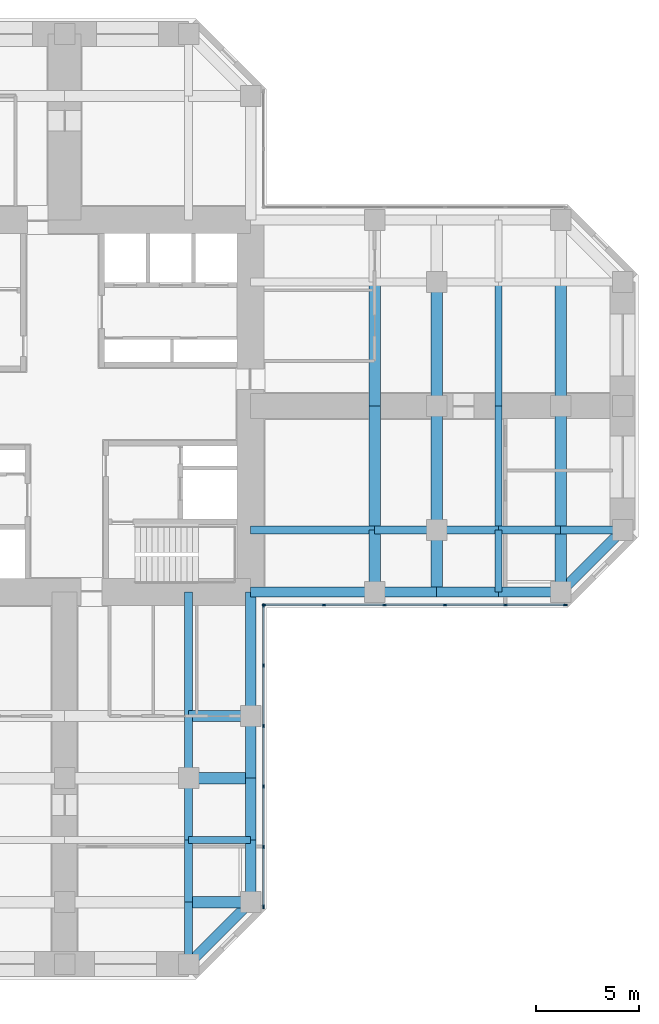
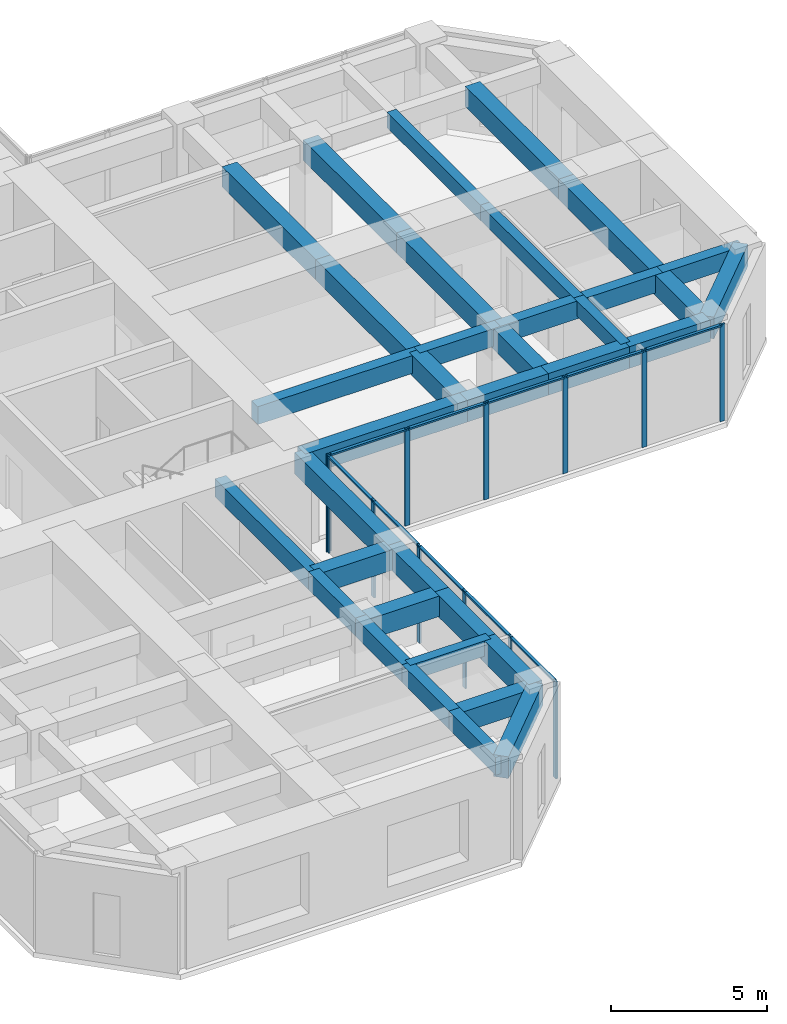
# One storey, part 4 of 12: 36 beams, 22 members, 2 elements without a shape of their own.
"""IFC4 building model written with IfcOpenShell, lengths in metres."""

from ifc_helpers import new_model, si_unit, direction, frame, origin, origin_2d, place, context, subcontext, project, spatial, rectangle, extrude, material, material_profile, profile_set, type_object, element, aggregate, save


model = new_model("IFC4")

# Units and contexts
model_context = context("Model", 3, precision=1e-05, world=origin(), true_north=direction((0.0, 1.0)))
body_context = subcontext(model_context, "Body", "Model", "MODEL_VIEW")
ifc_project = project(units=[si_unit("LENGTHUNIT", "METRE"), si_unit("AREAUNIT", "SQUARE_METRE"), si_unit("VOLUMEUNIT", "CUBIC_METRE"), si_unit("PLANEANGLEUNIT", "RADIAN"), si_unit("MASSUNIT", "GRAM", prefix="KILO")], contexts=[model_context])

# Site, building, storey
site_placement = place(None, origin())
site = spatial("IfcSite", under=ifc_project, at=site_placement, CompositionType="ELEMENT")
building_placement = place(site_placement, origin())
building = spatial("IfcBuilding", under=site, at=building_placement, Name="Torre Cruceta", CompositionType="ELEMENT")
storey_placement = place(building_placement, frame((0.0, 0.0, 120.5)))
storey = spatial("IfcBuildingStorey", under=building, at=storey_placement, Name="L29", CompositionType="ELEMENT", Elevation=120.5)

# Beams
ifc_material_1 = material(Name="Concrete G60 (fck 60 MPa)", Category="concrete")
ifc_material_profile_1 = material_profile(ifc_material_1, rectangle(XDim=0.39990234375, YDim=0.699951171875, at=origin_2d()), Name="RC 400X700")
ifc_profile_set_1 = profile_set([ifc_material_profile_1], Name="Concrete G60 (fck 60 MPa)")
beam_type_1 = type_object("IfcBeamType", Name="COLUMN LINE BEAM RC 400X700", PredefinedType="BEAM", material=ifc_profile_set_1)
beam_1_placement = place(storey_placement, frame((9.0, -6.0, 3.449951171875), z_axis=(1.0, 0.0, 0.0), x_axis=(0.0, 1.0, 0.0)))
element("IfcBeam", 1, at=beam_1_placement, inside=storey, type_object=beam_type_1, Name="LB5 L29 E col- 1", PredefinedType="BEAM", context=body_context, shape_type="SweptSolid", body=[
    extrude(rectangle(XDim=0.39990234375, YDim=0.699951171875, at=origin_2d()), origin(), (0.0, 0.0, 1.0), 6.0),
])
for number, where, z_axis, x_axis, name in (
    (2, (15.0, -6.0, 3.449951171875), (1.0, 0.0, 0.0), (0.0, 1.0, 0.0), "LB5 L29 E col- 2"),
    (3, (18.0, -6.0, 3.449951171875), (1.0, 0.0, 0.0), (0.0, 1.0, 0.0), "LB5 L29 E col- 3"),
    (4, (21.0, -6.0, 3.449951171875), (1.0, 0.0, 0.0), (0.0, 1.0, 0.0), "LB5 L29 E col- 4"),
    (5, (24.0, -6.0, 3.449951171875), (1.0, 0.0, 0.0), (0.0, 1.0, 0.0), "LB5 L29 E col- 5"),
):
    element("IfcBeam", number, at=place(storey_placement, frame(where, z_axis=z_axis, x_axis=x_axis)), inside=storey, type_object=beam_type_1, Name=name, PredefinedType="BEAM", context=body_context, shape_type="SweptSolid", body=[
        extrude(rectangle(XDim=0.39990234375, YDim=0.699951171875, at=origin_2d()), origin(), (0.0, 0.0, 1.0), 3.0),
    ])
beam_2_placement = place(storey_placement, frame((6.0, -9.0, 3.449951171875), z_axis=(0.0, -1.0, 0.0), x_axis=(1.0, 0.0, 0.0)))
element("IfcBeam", 6, at=beam_2_placement, inside=storey, type_object=beam_type_1, Name="LB5 L29 S col+ 1", PredefinedType="BEAM", context=body_context, shape_type="SweptSolid", body=[
    extrude(rectangle(XDim=0.39990234375, YDim=0.699951171875, at=origin_2d()), origin(), (0.0, 0.0, 1.0), 6.0),
])
for number, where, z_axis, x_axis, name in (
    (7, (6.0, -15.0, 3.449951171875), (0.0, -1.0, 0.0), (1.0, 0.0, 0.0), "LB5 L29 S col+ 2"),
    (8, (6.0, -18.0, 3.449951171875), (0.0, -1.0, 0.0), (1.0, 0.0, 0.0), "LB5 L29 S col+ 3"),
    (9, (6.0, -21.0, 3.449951171875), (0.0, -1.0, 0.0), (1.0, 0.0, 0.0), "LB5 L29 S col+ 4"),
    (10, (6.0, -24.0, 3.449951171875), (0.0, -1.0, 0.0), (1.0, 0.0, 0.0), "LB5 L29 S col+ 5"),
):
    element("IfcBeam", number, at=place(storey_placement, frame(where, z_axis=z_axis, x_axis=x_axis)), inside=storey, type_object=beam_type_1, Name=name, PredefinedType="BEAM", context=body_context, shape_type="SweptSolid", body=[
        extrude(rectangle(XDim=0.39990234375, YDim=0.699951171875, at=origin_2d()), origin(), (0.0, 0.0, 1.0), 3.0),
    ])
ifc_material_2 = material(Name="Concrete G60 (fck 60 MPa)", Category="concrete")
ifc_material_profile_2 = material_profile(ifc_material_2, rectangle(XDim=0.550048828125, YDim=0.800048828125, at=origin_2d()), Name="RC 550X800")
ifc_profile_set_2 = profile_set([ifc_material_profile_2], Name="Concrete G60 (fck 60 MPa)")
beam_type_2 = type_object("IfcBeamType", Name="CROSS BEAM RC 550X800", PredefinedType="BEAM", material=ifc_profile_set_2)
beam_3_placement = place(storey_placement, frame((15.0, -9.0, 3.39990234375), z_axis=(0.0, 1.0, 0.0), x_axis=(-1.0, 0.0, 0.0)))
element("IfcBeam", 11, at=beam_3_placement, inside=storey, type_object=beam_type_2, Name="GB5 L29 E cross15 1", PredefinedType="BEAM", context=body_context, shape_type="SweptSolid", body=[
    extrude(rectangle(XDim=0.550048828125, YDim=0.800048828125, at=origin_2d()), origin(), (0.0, 0.0, 1.0), 3.0),
])
for number, where, z_axis, x_axis, name in (
    (12, (15.0, -6.0, 3.39990234375), (0.0, 1.0, 0.0), (-1.0, 0.0, 0.0), "GB5 L29 E cross15 2"),
    (13, (15.0, 0.0, 3.39990234375), (0.0, 1.0, 0.0), (-1.0, 0.0, 0.0), "GB5 L29 E cross15 3"),
):
    element("IfcBeam", number, at=place(storey_placement, frame(where, z_axis=z_axis, x_axis=x_axis)), inside=storey, type_object=beam_type_2, Name=name, PredefinedType="BEAM", context=body_context, shape_type="SweptSolid", body=[
        extrude(rectangle(XDim=0.550048828125, YDim=0.800048828125, at=origin_2d()), origin(), (0.0, 0.0, 1.0), 6.0),
    ])
beam_4_placement = place(storey_placement, frame((18.0, -9.0, 3.39990234375), z_axis=(0.0, 1.0, 0.0), x_axis=(-1.0, 0.0, 0.0)))
element("IfcBeam", 14, at=beam_4_placement, inside=storey, type_object=beam_type_2, Name="GB5 L29 E cross18 1", PredefinedType="BEAM", context=body_context, shape_type="SweptSolid", body=[
    extrude(rectangle(XDim=0.550048828125, YDim=0.800048828125, at=origin_2d()), origin(), (0.0, 0.0, 1.0), 3.0),
])
for number, where, z_axis, x_axis, name in (
    (15, (18.0, -6.0, 3.39990234375), (0.0, 1.0, 0.0), (-1.0, 0.0, 0.0), "GB5 L29 E cross18 2"),
    (16, (18.0, 0.0, 3.39990234375), (0.0, 1.0, 0.0), (-1.0, 0.0, 0.0), "GB5 L29 E cross18 3"),
):
    element("IfcBeam", number, at=place(storey_placement, frame(where, z_axis=z_axis, x_axis=x_axis)), inside=storey, type_object=beam_type_2, Name=name, PredefinedType="BEAM", context=body_context, shape_type="SweptSolid", body=[
        extrude(rectangle(XDim=0.550048828125, YDim=0.800048828125, at=origin_2d()), origin(), (0.0, 0.0, 1.0), 6.0),
    ])
beam_5_placement = place(storey_placement, frame((24.0, -9.0, 3.39990234375), z_axis=(0.0, 1.0, 0.0), x_axis=(-1.0, 0.0, 0.0)))
element("IfcBeam", 17, at=beam_5_placement, inside=storey, type_object=beam_type_2, Name="GB5 L29 E cross24 1", PredefinedType="BEAM", context=body_context, shape_type="SweptSolid", body=[
    extrude(rectangle(XDim=0.550048828125, YDim=0.800048828125, at=origin_2d()), origin(), (0.0, 0.0, 1.0), 3.0),
])
for number, where, z_axis, x_axis, name in (
    (18, (24.0, -6.0, 3.39990234375), (0.0, 1.0, 0.0), (-1.0, 0.0, 0.0), "GB5 L29 E cross24 2"),
    (19, (24.0, 0.0, 3.39990234375), (0.0, 1.0, 0.0), (-1.0, 0.0, 0.0), "GB5 L29 E cross24 3"),
):
    element("IfcBeam", number, at=place(storey_placement, frame(where, z_axis=z_axis, x_axis=x_axis)), inside=storey, type_object=beam_type_2, Name=name, PredefinedType="BEAM", context=body_context, shape_type="SweptSolid", body=[
        extrude(rectangle(XDim=0.550048828125, YDim=0.800048828125, at=origin_2d()), origin(), (0.0, 0.0, 1.0), 6.0),
    ])
for number, where, z_axis, x_axis, name in (
    (20, (6.0, -15.0, 3.39990234375), (1.0, 0.0, 0.0), (0.0, 1.0, 0.0), "GB5 L29 S cross15 4"),
    (21, (6.0, -18.0, 3.39990234375), (1.0, 0.0, 0.0), (0.0, 1.0, 0.0), "GB5 L29 S cross18 4"),
    (22, (6.0, -24.0, 3.39990234375), (1.0, 0.0, 0.0), (0.0, 1.0, 0.0), "GB5 L29 S cross24 4"),
):
    element("IfcBeam", number, at=place(storey_placement, frame(where, z_axis=z_axis, x_axis=x_axis)), inside=storey, type_object=beam_type_2, Name=name, PredefinedType="BEAM", context=body_context, shape_type="SweptSolid", body=[
        extrude(rectangle(XDim=0.550048828125, YDim=0.800048828125, at=origin_2d()), origin(), (0.0, 0.0, 1.0), 3.0),
    ])

# Curtain wall, members
ifc_material_3 = material(Name="Aluminium unitised curtain wall", Category="aluminium")
curtain_wall_type = type_object("IfcCurtainWallType", Name="CURTAIN WALL CW-B OFFICE MID RISE", PredefinedType="USERDEFINED", material=ifc_material_3)
curtain_wall_1_placement = place(storey_placement, origin())
curtain_wall_1 = element("IfcCurtainWall", 23, at=curtain_wall_1_placement, inside=storey, type_object=curtain_wall_type, Name="CW-B L29 E side 00", ObjectType="UNITISED", PredefinedType="USERDEFINED")
ifc_material_4 = material(Name="Aluminium mullion", Category="aluminium")
ifc_material_profile_3 = material_profile(ifc_material_4, rectangle(XDim=0.06494140625, YDim=0.179931640625, at=origin_2d()), Name="AL 65X180")
ifc_profile_set_3 = profile_set([ifc_material_profile_3], Name="Aluminium mullion")
member_type_1 = type_object("IfcMemberType", Name="CW-B MULLION 65X180", PredefinedType="MULLION", material=ifc_profile_set_3)
member_1_placement = place(storey_placement, frame((9.652587890625, -9.6201171875, 0.0), z_axis=(0.0, 0.0, 1.0), x_axis=(0.0, 1.0, 0.0)))
member_1 = element("IfcMember", 24, at=member_1_placement, type_object=member_type_1, Name="CW-B mullion 1", PredefinedType="MULLION", context=body_context, shape_type="SweptSolid", body=[
    extrude(rectangle(XDim=0.06494140625, YDim=0.179931640625, at=origin_2d()), origin(), (0.0, 0.0, 1.0), 3.800048828125),
])
member_2_placement = place(storey_placement, frame((12.54736328125, -9.6201171875, 0.0), z_axis=(0.0, 0.0, 1.0), x_axis=(0.0, 1.0, 0.0)))
member_2 = element("IfcMember", 25, at=member_2_placement, type_object=member_type_1, Name="CW-B mullion 2", PredefinedType="MULLION", context=body_context, shape_type="SweptSolid", body=[
    extrude(rectangle(XDim=0.06494140625, YDim=0.179931640625, at=origin_2d()), origin(), (0.0, 0.0, 1.0), 3.800048828125),
])
member_3_placement = place(storey_placement, frame((15.474609375, -9.6201171875, 0.0), z_axis=(0.0, 0.0, 1.0), x_axis=(0.0, 1.0, 0.0)))
member_3 = element("IfcMember", 26, at=member_3_placement, type_object=member_type_1, Name="CW-B mullion 3", PredefinedType="MULLION", context=body_context, shape_type="SweptSolid", body=[
    extrude(rectangle(XDim=0.06494140625, YDim=0.179931640625, at=origin_2d()), origin(), (0.0, 0.0, 1.0), 3.800048828125),
])
member_4_placement = place(storey_placement, frame((18.402099609375, -9.6201171875, 0.0), z_axis=(0.0, 0.0, 1.0), x_axis=(0.0, 1.0, 0.0)))
member_4 = element("IfcMember", 27, at=member_4_placement, type_object=member_type_1, Name="CW-B mullion 4", PredefinedType="MULLION", context=body_context, shape_type="SweptSolid", body=[
    extrude(rectangle(XDim=0.06494140625, YDim=0.179931640625, at=origin_2d()), origin(), (0.0, 0.0, 1.0), 3.800048828125),
])
member_5_placement = place(storey_placement, frame((21.329345703125, -9.6201171875, 0.0), z_axis=(0.0, 0.0, 1.0), x_axis=(0.0, 1.0, 0.0)))
member_5 = element("IfcMember", 28, at=member_5_placement, type_object=member_type_1, Name="CW-B mullion 5", PredefinedType="MULLION", context=body_context, shape_type="SweptSolid", body=[
    extrude(rectangle(XDim=0.06494140625, YDim=0.179931640625, at=origin_2d()), origin(), (0.0, 0.0, 1.0), 3.800048828125),
])
member_6_placement = place(storey_placement, frame((24.224365234375, -9.6201171875, 0.0), z_axis=(0.0, 0.0, 1.0), x_axis=(0.0, 1.0, 0.0)))
member_6 = element("IfcMember", 29, at=member_6_placement, type_object=member_type_1, Name="CW-B mullion 6", PredefinedType="MULLION", context=body_context, shape_type="SweptSolid", body=[
    extrude(rectangle(XDim=0.06494140625, YDim=0.179931640625, at=origin_2d()), origin(), (0.0, 0.0, 1.0), 3.800048828125),
])

curtain_wall_2_placement = place(storey_placement, origin())
curtain_wall_2 = element("IfcCurtainWall", 30, at=curtain_wall_2_placement, inside=storey, type_object=curtain_wall_type, Name="CW-B L29 S side 19", ObjectType="UNITISED", PredefinedType="USERDEFINED")
member_7_placement = place(storey_placement, frame((9.6201171875, -24.224365234375, 0.0), z_axis=(0.0, 0.0, 1.0), x_axis=(-1.0, 0.0, 0.0)))
member_7 = element("IfcMember", 31, at=member_7_placement, type_object=member_type_1, Name="CW-B mullion 1", PredefinedType="MULLION", context=body_context, shape_type="SweptSolid", body=[
    extrude(rectangle(XDim=0.06494140625, YDim=0.179931640625, at=origin_2d()), origin(), (0.0, 0.0, 1.0), 3.800048828125),
])
member_8_placement = place(storey_placement, frame((9.6201171875, -21.329345703125, 0.0), z_axis=(0.0, 0.0, 1.0), x_axis=(-1.0, 0.0, 0.0)))
member_8 = element("IfcMember", 32, at=member_8_placement, type_object=member_type_1, Name="CW-B mullion 2", PredefinedType="MULLION", context=body_context, shape_type="SweptSolid", body=[
    extrude(rectangle(XDim=0.06494140625, YDim=0.179931640625, at=origin_2d()), origin(), (0.0, 0.0, 1.0), 3.800048828125),
])
member_9_placement = place(storey_placement, frame((9.6201171875, -18.402099609375, 0.0), z_axis=(0.0, 0.0, 1.0), x_axis=(-1.0, 0.0, 0.0)))
member_9 = element("IfcMember", 33, at=member_9_placement, type_object=member_type_1, Name="CW-B mullion 3", PredefinedType="MULLION", context=body_context, shape_type="SweptSolid", body=[
    extrude(rectangle(XDim=0.06494140625, YDim=0.179931640625, at=origin_2d()), origin(), (0.0, 0.0, 1.0), 3.800048828125),
])
member_10_placement = place(storey_placement, frame((9.6201171875, -15.474609375, 0.0), z_axis=(0.0, 0.0, 1.0), x_axis=(-1.0, 0.0, 0.0)))
member_10 = element("IfcMember", 34, at=member_10_placement, type_object=member_type_1, Name="CW-B mullion 4", PredefinedType="MULLION", context=body_context, shape_type="SweptSolid", body=[
    extrude(rectangle(XDim=0.06494140625, YDim=0.179931640625, at=origin_2d()), origin(), (0.0, 0.0, 1.0), 3.800048828125),
])
member_11_placement = place(storey_placement, frame((9.6201171875, -12.54736328125, 0.0), z_axis=(0.0, 0.0, 1.0), x_axis=(-1.0, 0.0, 0.0)))
member_11 = element("IfcMember", 35, at=member_11_placement, type_object=member_type_1, Name="CW-B mullion 5", PredefinedType="MULLION", context=body_context, shape_type="SweptSolid", body=[
    extrude(rectangle(XDim=0.06494140625, YDim=0.179931640625, at=origin_2d()), origin(), (0.0, 0.0, 1.0), 3.800048828125),
])
member_12_placement = place(storey_placement, frame((9.6201171875, -9.652587890625, 0.0), z_axis=(0.0, 0.0, 1.0), x_axis=(-1.0, 0.0, 0.0)))
member_12 = element("IfcMember", 36, at=member_12_placement, type_object=member_type_1, Name="CW-B mullion 6", PredefinedType="MULLION", context=body_context, shape_type="SweptSolid", body=[
    extrude(rectangle(XDim=0.06494140625, YDim=0.179931640625, at=origin_2d()), origin(), (0.0, 0.0, 1.0), 3.800048828125),
])

# Member
ifc_material_5 = material(Name="Aluminium transom", Category="aluminium")
ifc_material_profile_4 = material_profile(ifc_material_5, rectangle(XDim=0.110107421875, YDim=0.06494140625, at=origin_2d()), Name="AL 110X65")
ifc_profile_set_4 = profile_set([ifc_material_profile_4], Name="Aluminium transom")
member_type_2 = type_object("IfcMemberType", Name="CW-B TRANSOM 65X110", PredefinedType="USERDEFINED", material=ifc_profile_set_4)
member_13_placement = place(storey_placement, frame((9.68505859375, -9.6201171875, 3.767578125), z_axis=(1.0, 0.0, 0.0), x_axis=(0.0, 1.0, 0.0)))
member_13 = element("IfcMember", 37, at=member_13_placement, type_object=member_type_2, Name="CW-B transom 1", ObjectType="TRANSOM", PredefinedType="USERDEFINED", context=body_context, shape_type="SweptSolid", body=[
    extrude(rectangle(XDim=0.110107421875, YDim=0.06494140625, at=origin_2d()), origin(), (0.0, 0.0, 1.0), 2.829833984375),
])

member_14_placement = place(storey_placement, frame((12.579833984375, -9.6201171875, 3.767578125), z_axis=(1.0, 0.0, 0.0), x_axis=(0.0, 1.0, 0.0)))
member_14 = element("IfcMember", 38, at=member_14_placement, type_object=member_type_2, Name="CW-B transom 2", ObjectType="TRANSOM", PredefinedType="USERDEFINED", context=body_context, shape_type="SweptSolid", body=[
    extrude(rectangle(XDim=0.110107421875, YDim=0.06494140625, at=origin_2d()), origin(), (0.0, 0.0, 1.0), 2.8623046875),
])

member_15_placement = place(storey_placement, frame((15.50732421875, -9.6201171875, 3.767578125), z_axis=(1.0, 0.0, 0.0), x_axis=(0.0, 1.0, 0.0)))
member_15 = element("IfcMember", 39, at=member_15_placement, type_object=member_type_2, Name="CW-B transom 3", ObjectType="TRANSOM", PredefinedType="USERDEFINED", context=body_context, shape_type="SweptSolid", body=[
    extrude(rectangle(XDim=0.110107421875, YDim=0.06494140625, at=origin_2d()), origin(), (0.0, 0.0, 1.0), 2.8623046875),
])

member_16_placement = place(storey_placement, frame((18.4345703125, -9.6201171875, 3.767578125), z_axis=(1.0, 0.0, 0.0), x_axis=(0.0, 1.0, 0.0)))
member_16 = element("IfcMember", 40, at=member_16_placement, type_object=member_type_2, Name="CW-B transom 4", ObjectType="TRANSOM", PredefinedType="USERDEFINED", context=body_context, shape_type="SweptSolid", body=[
    extrude(rectangle(XDim=0.110107421875, YDim=0.06494140625, at=origin_2d()), origin(), (0.0, 0.0, 1.0), 2.8623046875),
])

member_17_placement = place(storey_placement, frame((21.362060546875, -9.6201171875, 3.767578125), z_axis=(1.0, 0.0, 0.0), x_axis=(0.0, 1.0, 0.0)))
member_17 = element("IfcMember", 41, at=member_17_placement, type_object=member_type_2, Name="CW-B transom 5", ObjectType="TRANSOM", PredefinedType="USERDEFINED", context=body_context, shape_type="SweptSolid", body=[
    extrude(rectangle(XDim=0.110107421875, YDim=0.06494140625, at=origin_2d()), origin(), (0.0, 0.0, 1.0), 2.829833984375),
])

aggregate(curtain_wall_1, [member_1, member_2, member_3, member_4, member_5, member_6, member_13, member_14, member_15, member_16, member_17])

member_18_placement = place(storey_placement, frame((9.6201171875, -24.19189453125, 3.767578125), z_axis=(0.0, 1.0, 0.0), x_axis=(-1.0, 0.0, 0.0)))
member_18 = element("IfcMember", 42, at=member_18_placement, type_object=member_type_2, Name="CW-B transom 1", ObjectType="TRANSOM", PredefinedType="USERDEFINED", context=body_context, shape_type="SweptSolid", body=[
    extrude(rectangle(XDim=0.110107421875, YDim=0.06494140625, at=origin_2d()), origin(), (0.0, 0.0, 1.0), 2.829833984375),
])

member_19_placement = place(storey_placement, frame((9.6201171875, -21.296875, 3.767578125), z_axis=(0.0, 1.0, 0.0), x_axis=(-1.0, 0.0, 0.0)))
member_19 = element("IfcMember", 43, at=member_19_placement, type_object=member_type_2, Name="CW-B transom 2", ObjectType="TRANSOM", PredefinedType="USERDEFINED", context=body_context, shape_type="SweptSolid", body=[
    extrude(rectangle(XDim=0.110107421875, YDim=0.06494140625, at=origin_2d()), origin(), (0.0, 0.0, 1.0), 2.8623046875),
])

member_20_placement = place(storey_placement, frame((9.6201171875, -18.36962890625, 3.767578125), z_axis=(0.0, 1.0, 0.0), x_axis=(-1.0, 0.0, 0.0)))
member_20 = element("IfcMember", 44, at=member_20_placement, type_object=member_type_2, Name="CW-B transom 3", ObjectType="TRANSOM", PredefinedType="USERDEFINED", context=body_context, shape_type="SweptSolid", body=[
    extrude(rectangle(XDim=0.110107421875, YDim=0.06494140625, at=origin_2d()), origin(), (0.0, 0.0, 1.0), 2.8623046875),
])

member_21_placement = place(storey_placement, frame((9.6201171875, -15.442138671875, 3.767578125), z_axis=(0.0, 1.0, 0.0), x_axis=(-1.0, 0.0, 0.0)))
member_21 = element("IfcMember", 45, at=member_21_placement, type_object=member_type_2, Name="CW-B transom 4", ObjectType="TRANSOM", PredefinedType="USERDEFINED", context=body_context, shape_type="SweptSolid", body=[
    extrude(rectangle(XDim=0.110107421875, YDim=0.06494140625, at=origin_2d()), origin(), (0.0, 0.0, 1.0), 2.8623046875),
])

member_22_placement = place(storey_placement, frame((9.6201171875, -12.514892578125, 3.767578125), z_axis=(0.0, 1.0, 0.0), x_axis=(-1.0, 0.0, 0.0)))
member_22 = element("IfcMember", 46, at=member_22_placement, type_object=member_type_2, Name="CW-B transom 5", ObjectType="TRANSOM", PredefinedType="USERDEFINED", context=body_context, shape_type="SweptSolid", body=[
    extrude(rectangle(XDim=0.110107421875, YDim=0.06494140625, at=origin_2d()), origin(), (0.0, 0.0, 1.0), 2.829833984375),
])

aggregate(curtain_wall_2, [member_7, member_8, member_9, member_10, member_11, member_12, member_18, member_19, member_20, member_21, member_22])

# Beams
ifc_material_6 = material(Name="Concrete G60 (fck 60 MPa)", Category="concrete")
ifc_material_profile_5 = material_profile(ifc_material_6, rectangle(XDim=0.35009765625, YDim=0.60009765625, at=origin_2d()), Name="RC 350X600")
ifc_profile_set_5 = profile_set([ifc_material_profile_5], Name="Concrete G60 (fck 60 MPa)")
beam_type_3 = type_object("IfcBeamType", Name="SECONDARY BEAM RC 350X600", PredefinedType="JOIST", material=ifc_profile_set_5)
beam_6_placement = place(storey_placement, frame((21.0, -9.0, 3.5), z_axis=(0.0, 1.0, 0.0), x_axis=(-1.0, 0.0, 0.0)))
element("IfcBeam", 47, at=beam_6_placement, inside=storey, type_object=beam_type_3, Name="JB5 L29 E sec21 1", PredefinedType="JOIST", context=body_context, shape_type="SweptSolid", body=[
    extrude(rectangle(XDim=0.35009765625, YDim=0.60009765625, at=origin_2d()), origin(), (0.0, 0.0, 1.0), 3.0),
])
for number, where, z_axis, x_axis, name in (
    (48, (21.0, -6.0, 3.5), (0.0, 1.0, 0.0), (-1.0, 0.0, 0.0), "JB5 L29 E sec21 2"),
    (49, (21.0, 0.0, 3.5), (0.0, 1.0, 0.0), (-1.0, 0.0, 0.0), "JB5 L29 E sec21 3"),
):
    element("IfcBeam", number, at=place(storey_placement, frame(where, z_axis=z_axis, x_axis=x_axis)), inside=storey, type_object=beam_type_3, Name=name, PredefinedType="JOIST", context=body_context, shape_type="SweptSolid", body=[
        extrude(rectangle(XDim=0.35009765625, YDim=0.60009765625, at=origin_2d()), origin(), (0.0, 0.0, 1.0), 6.0),
    ])
beam_7_placement = place(storey_placement, frame((6.0, -21.0, 3.5), z_axis=(1.0, 0.0, 0.0), x_axis=(0.0, 1.0, 0.0)))
element("IfcBeam", 50, at=beam_7_placement, inside=storey, type_object=beam_type_3, Name="JB5 L29 S sec21 4", PredefinedType="JOIST", context=body_context, shape_type="SweptSolid", body=[
    extrude(rectangle(XDim=0.35009765625, YDim=0.60009765625, at=origin_2d()), origin(), (0.0, 0.0, 1.0), 3.0),
])
ifc_material_7 = material(Name="Concrete G60 (fck 60 MPa)", Category="concrete")
ifc_material_profile_6 = material_profile(ifc_material_7, rectangle(XDim=0.5, YDim=0.85009765625, at=origin_2d()), Name="RC 500X850")
ifc_profile_set_6 = profile_set([ifc_material_profile_6], Name="Concrete G60 (fck 60 MPa)")
beam_type_4 = type_object("IfcBeamType", Name="SPANDREL BEAM RC 500X850", PredefinedType="SPANDREL", material=ifc_profile_set_6)
beam_8_placement = place(storey_placement, frame((9.0, -9.0, 3.375), z_axis=(1.0, 0.0, 0.0), x_axis=(0.0, 1.0, 0.0)))
element("IfcBeam", 51, at=beam_8_placement, inside=storey, type_object=beam_type_4, Name="SB5 L29 E side- 1", PredefinedType="SPANDREL", context=body_context, shape_type="SweptSolid", body=[
    extrude(rectangle(XDim=0.5, YDim=0.85009765625, at=origin_2d()), origin(), (0.0, 0.0, 1.0), 6.0),
])
for number, where, z_axis, x_axis, name in (
    (52, (15.0, -9.0, 3.375), (1.0, 0.0, 0.0), (0.0, 1.0, 0.0), "SB5 L29 E side- 2"),
    (53, (18.0, -9.0, 3.375), (1.0, 0.0, 0.0), (0.0, 1.0, 0.0), "SB5 L29 E side- 3"),
    (54, (21.0, -9.0, 3.375), (1.0, 0.0, 0.0), (0.0, 1.0, 0.0), "SB5 L29 E side- 4"),
):
    element("IfcBeam", number, at=place(storey_placement, frame(where, z_axis=z_axis, x_axis=x_axis)), inside=storey, type_object=beam_type_4, Name=name, PredefinedType="SPANDREL", context=body_context, shape_type="SweptSolid", body=[
        extrude(rectangle(XDim=0.5, YDim=0.85009765625, at=origin_2d()), origin(), (0.0, 0.0, 1.0), 3.0),
    ])
beam_9_placement = place(storey_placement, frame((24.0, -9.0, 3.375), z_axis=(0.707106781187, 0.707106781187, 0.0), x_axis=(-0.707106781187, 0.707106781187, 0.0)))
element("IfcBeam", 55, at=beam_9_placement, inside=storey, type_object=beam_type_4, Name="SB5 L29 E side- 5", PredefinedType="SPANDREL", context=body_context, shape_type="SweptSolid", body=[
    extrude(rectangle(XDim=0.5, YDim=0.85009765625, at=origin_2d()), origin(), (0.0, 0.0, 1.0), 4.24267578125),
])
beam_10_placement = place(storey_placement, frame((9.0, -9.0, 3.375), z_axis=(0.0, -1.0, 0.0), x_axis=(1.0, 0.0, 0.0)))
element("IfcBeam", 56, at=beam_10_placement, inside=storey, type_object=beam_type_4, Name="SB5 L29 S side+ 1", PredefinedType="SPANDREL", context=body_context, shape_type="SweptSolid", body=[
    extrude(rectangle(XDim=0.5, YDim=0.85009765625, at=origin_2d()), origin(), (0.0, 0.0, 1.0), 6.0),
])
for number, where, z_axis, x_axis, name in (
    (57, (9.0, -15.0, 3.375), (0.0, -1.0, 0.0), (1.0, 0.0, 0.0), "SB5 L29 S side+ 2"),
    (58, (9.0, -18.0, 3.375), (0.0, -1.0, 0.0), (1.0, 0.0, 0.0), "SB5 L29 S side+ 3"),
    (59, (9.0, -21.0, 3.375), (0.0, -1.0, 0.0), (1.0, 0.0, 0.0), "SB5 L29 S side+ 4"),
):
    element("IfcBeam", number, at=place(storey_placement, frame(where, z_axis=z_axis, x_axis=x_axis)), inside=storey, type_object=beam_type_4, Name=name, PredefinedType="SPANDREL", context=body_context, shape_type="SweptSolid", body=[
        extrude(rectangle(XDim=0.5, YDim=0.85009765625, at=origin_2d()), origin(), (0.0, 0.0, 1.0), 3.0),
    ])
beam_11_placement = place(storey_placement, frame((9.0, -24.0, 3.375), z_axis=(-0.707106781187, -0.707106781187, 0.0), x_axis=(0.707106781187, -0.707106781187, 0.0)))
element("IfcBeam", 60, at=beam_11_placement, inside=storey, type_object=beam_type_4, Name="SB5 L29 S side+ 5", PredefinedType="SPANDREL", context=body_context, shape_type="SweptSolid", body=[
    extrude(rectangle(XDim=0.5, YDim=0.85009765625, at=origin_2d()), origin(), (0.0, 0.0, 1.0), 4.24267578125),
])

save(model, "model.ifc")
